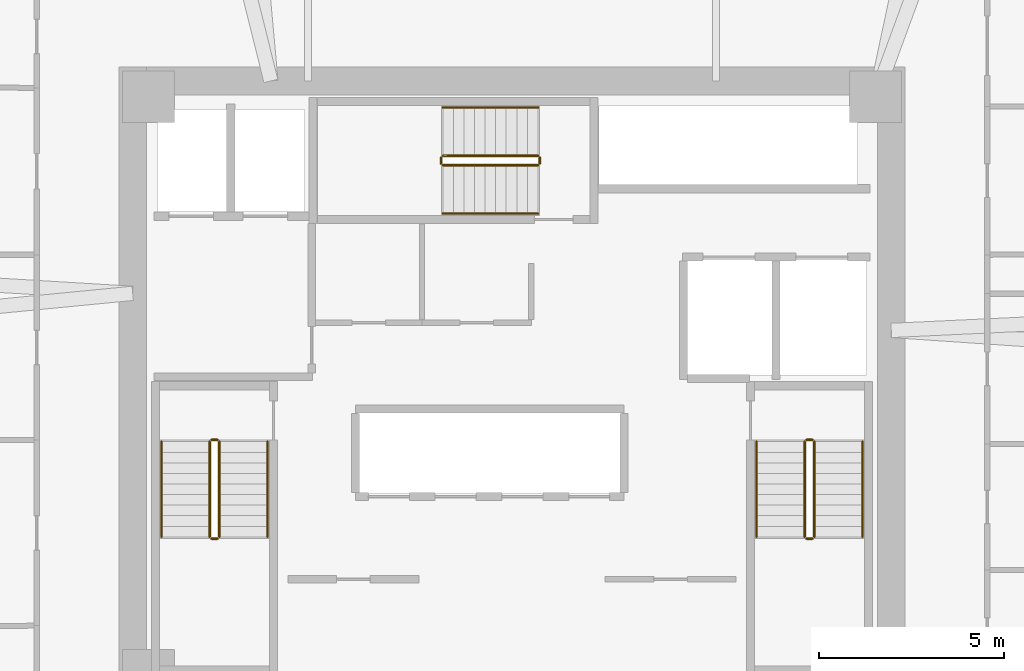
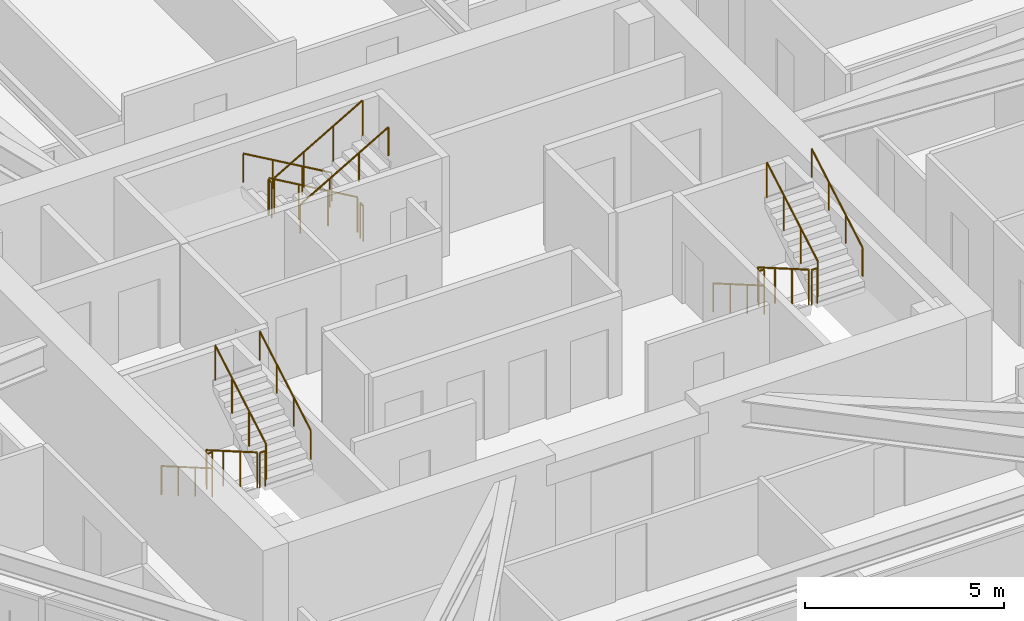
# One storey, part 16 of 16: 18 railings.
"""IFC4 building model written with IfcOpenShell, lengths in metres."""

from ifc_helpers import new_model, si_unit, direction, frame, origin, origin_2d, place, context, subcontext, project, spatial, circle, extrude, material, type_object, element, save


model = new_model("IFC4")

# Units and contexts
model_context = context("Model", 3, precision=1e-05, world=origin(), true_north=direction((0.0, 1.0)))
body_context = subcontext(model_context, "Body", "Model", "MODEL_VIEW")
ifc_project = project(units=[si_unit("LENGTHUNIT", "METRE"), si_unit("AREAUNIT", "SQUARE_METRE"), si_unit("VOLUMEUNIT", "CUBIC_METRE"), si_unit("PLANEANGLEUNIT", "RADIAN"), si_unit("MASSUNIT", "GRAM", prefix="KILO")], contexts=[model_context])

# Site, building, storey
site_placement = place(None, origin())
site = spatial("IfcSite", under=ifc_project, at=site_placement, CompositionType="ELEMENT")
building_placement = place(site_placement, origin())
building = spatial("IfcBuilding", under=site, at=building_placement, Name="Durnholm Broadcast Tower", CompositionType="ELEMENT")
storey_placement = place(building_placement, frame((0.0, 0.0, 130.5)))
storey = spatial("IfcBuildingStorey", under=building, at=storey_placement, Name="L35", CompositionType="ELEMENT", Elevation=130.5)

# Railings
ifc_material_1 = material(Name="Painted Tubular Steel Stair Guardrail", Category="steel")
railing_type_1 = type_object("IfcRailingType", Name="RAIL-ST-GRD", PredefinedType="GUARDRAIL", material=ifc_material_1)
railing_1_placement = place(storey_placement, frame((-8.14990234375, -1.5, 0.1650390625)))
element("IfcRailing", 1, at=railing_1_placement, inside=storey, type_object=railing_type_1, Name="L35 ST-1 stair guard 1", PredefinedType="GUARDRAIL", context=body_context, shape_type="SweptSolid", body=[
    extrude(circle(Radius=0.02392578125, at=origin_2d()), frame((0.0, 0.0, 1.076171875), z_axis=(0.0, -0.865441324677, 0.50101029285), x_axis=(1.0, 0.0, 0.0)), (0.0, 0.0, 1.0), 2.963623046875),
    extrude(circle(Radius=0.02099609375, at=origin_2d()), origin(), (0.0, 0.0, 1.0), 1.052001953125),
    extrude(circle(Radius=0.02099609375, at=origin_2d()), frame((0.0, -0.85498046875, 0.494873046875)), (0.0, 0.0, 1.0), 1.052001953125),
    extrude(circle(Radius=0.02099609375, at=origin_2d()), frame((0.0, -1.7099609375, 0.989990234375)), (0.0, 0.0, 1.0), 1.052001953125),
    extrude(circle(Radius=0.02099609375, at=origin_2d()), frame((0.0, -2.56494140625, 1.48486328125)), (0.0, 0.0, 1.0), 1.052001953125),
])
railing_2_placement = place(storey_placement, frame((-8.10009765625, -4.114990234375, 1.64990234375)))
element("IfcRailing", 2, at=railing_2_placement, inside=storey, type_object=railing_type_1, Name="L35 ST-1 stair guard 2", PredefinedType="GUARDRAIL", context=body_context, shape_type="SweptSolid", body=[
    extrude(circle(Radius=0.02392578125, at=origin_2d()), frame((0.0, 0.0, 1.076171875), z_axis=(1.0, 0.0, 0.0), x_axis=(0.0, 1.0, 0.0)), (0.0, 0.0, 1.0), 0.16015625),
    extrude(circle(Radius=0.02099609375, at=origin_2d()), origin(), (0.0, 0.0, 1.0), 1.052001953125),
    extrude(circle(Radius=0.02099609375, at=origin_2d()), frame((0.16015625, 0.0, 0.0)), (0.0, 0.0, 1.0), 1.052001953125),
])
railing_3_placement = place(storey_placement, frame((-7.889892578125, -4.06494140625, 1.81494140625)))
element("IfcRailing", 3, at=railing_3_placement, inside=storey, type_object=railing_type_1, Name="L35 ST-1 stair guard 3", PredefinedType="GUARDRAIL", context=body_context, shape_type="SweptSolid", body=[
    extrude(circle(Radius=0.02392578125, at=origin_2d()), frame((0.0, 0.0, 1.076171875), z_axis=(0.0, 0.865405606168, 0.501071987656), x_axis=(-1.0, 0.0, 0.0)), (0.0, 0.0, 1.0), 2.9638671875),
    extrude(circle(Radius=0.02099609375, at=origin_2d()), origin(), (0.0, 0.0, 1.0), 1.052001953125),
    extrude(circle(Radius=0.02099609375, at=origin_2d()), frame((0.0, 0.85498046875, 0.4951171875)), (0.0, 0.0, 1.0), 1.052001953125),
    extrude(circle(Radius=0.02099609375, at=origin_2d()), frame((0.0, 1.7099609375, 0.989990234375)), (0.0, 0.0, 1.0), 1.052001953125),
    extrude(circle(Radius=0.02099609375, at=origin_2d()), frame((0.0, 2.56494140625, 1.485107421875)), (0.0, 0.0, 1.0), 1.052001953125),
])
railing_4_placement = place(storey_placement, frame((-8.10009765625, -1.449951171875, 0.0)))
element("IfcRailing", 4, at=railing_4_placement, inside=storey, type_object=railing_type_1, Name="L35 ST-1 stair guard 4", PredefinedType="GUARDRAIL", context=body_context, shape_type="SweptSolid", body=[
    extrude(circle(Radius=0.02392578125, at=origin_2d()), frame((0.0, 0.0, 1.076171875), z_axis=(1.0, 0.0, 0.0), x_axis=(0.0, 1.0, 0.0)), (0.0, 0.0, 1.0), 0.16015625),
    extrude(circle(Radius=0.02099609375, at=origin_2d()), origin(), (0.0, 0.0, 1.0), 1.052001953125),
    extrude(circle(Radius=0.02099609375, at=origin_2d()), frame((0.16015625, 0.0, 0.0)), (0.0, 0.0, 1.0), 1.052001953125),
])
railing_5_placement = place(storey_placement, frame((7.889892578125, -1.5, 0.1650390625)))
element("IfcRailing", 5, at=railing_5_placement, inside=storey, type_object=railing_type_1, Name="L35 ST-2 stair guard 1", PredefinedType="GUARDRAIL", context=body_context, shape_type="SweptSolid", body=[
    extrude(circle(Radius=0.02392578125, at=origin_2d()), frame((0.0, 0.0, 1.076171875), z_axis=(0.0, -0.865441324677, 0.50101029285), x_axis=(1.0, 0.0, 0.0)), (0.0, 0.0, 1.0), 2.963623046875),
    extrude(circle(Radius=0.02099609375, at=origin_2d()), origin(), (0.0, 0.0, 1.0), 1.052001953125),
    extrude(circle(Radius=0.02099609375, at=origin_2d()), frame((0.0, -0.85498046875, 0.494873046875)), (0.0, 0.0, 1.0), 1.052001953125),
    extrude(circle(Radius=0.02099609375, at=origin_2d()), frame((0.0, -1.7099609375, 0.989990234375)), (0.0, 0.0, 1.0), 1.052001953125),
    extrude(circle(Radius=0.02099609375, at=origin_2d()), frame((0.0, -2.56494140625, 1.48486328125)), (0.0, 0.0, 1.0), 1.052001953125),
])
railing_6_placement = place(storey_placement, frame((7.93994140625, -4.114990234375, 1.64990234375)))
element("IfcRailing", 6, at=railing_6_placement, inside=storey, type_object=railing_type_1, Name="L35 ST-2 stair guard 2", PredefinedType="GUARDRAIL", context=body_context, shape_type="SweptSolid", body=[
    extrude(circle(Radius=0.02392578125, at=origin_2d()), frame((0.0, 0.0, 1.076171875), z_axis=(1.0, 0.0, 0.0), x_axis=(0.0, 1.0, 0.0)), (0.0, 0.0, 1.0), 0.16015625),
    extrude(circle(Radius=0.02099609375, at=origin_2d()), origin(), (0.0, 0.0, 1.0), 1.052001953125),
    extrude(circle(Radius=0.02099609375, at=origin_2d()), frame((0.16015625, 0.0, 0.0)), (0.0, 0.0, 1.0), 1.052001953125),
])
railing_7_placement = place(storey_placement, frame((8.14990234375, -4.06494140625, 1.81494140625)))
element("IfcRailing", 7, at=railing_7_placement, inside=storey, type_object=railing_type_1, Name="L35 ST-2 stair guard 3", PredefinedType="GUARDRAIL", context=body_context, shape_type="SweptSolid", body=[
    extrude(circle(Radius=0.02392578125, at=origin_2d()), frame((0.0, 0.0, 1.076171875), z_axis=(0.0, 0.865405606168, 0.501071987656), x_axis=(-1.0, 0.0, 0.0)), (0.0, 0.0, 1.0), 2.9638671875),
    extrude(circle(Radius=0.02099609375, at=origin_2d()), origin(), (0.0, 0.0, 1.0), 1.052001953125),
    extrude(circle(Radius=0.02099609375, at=origin_2d()), frame((0.0, 0.85498046875, 0.4951171875)), (0.0, 0.0, 1.0), 1.052001953125),
    extrude(circle(Radius=0.02099609375, at=origin_2d()), frame((0.0, 1.7099609375, 0.989990234375)), (0.0, 0.0, 1.0), 1.052001953125),
    extrude(circle(Radius=0.02099609375, at=origin_2d()), frame((0.0, 2.56494140625, 1.485107421875)), (0.0, 0.0, 1.0), 1.052001953125),
])
railing_8_placement = place(storey_placement, frame((7.93994140625, -1.449951171875, 0.0)))
element("IfcRailing", 8, at=railing_8_placement, inside=storey, type_object=railing_type_1, Name="L35 ST-2 stair guard 4", PredefinedType="GUARDRAIL", context=body_context, shape_type="SweptSolid", body=[
    extrude(circle(Radius=0.02392578125, at=origin_2d()), frame((0.0, 0.0, 1.076171875), z_axis=(1.0, 0.0, 0.0), x_axis=(0.0, 1.0, 0.0)), (0.0, 0.0, 1.0), 0.16015625),
    extrude(circle(Radius=0.02099609375, at=origin_2d()), origin(), (0.0, 0.0, 1.0), 1.052001953125),
    extrude(circle(Radius=0.02099609375, at=origin_2d()), frame((0.16015625, 0.0, 0.0)), (0.0, 0.0, 1.0), 1.052001953125),
])
railing_9_placement = place(storey_placement, frame((0.699951171875, 6.2099609375, 0.1650390625)))
element("IfcRailing", 9, at=railing_9_placement, inside=storey, type_object=railing_type_1, Name="L35 ST-3 stair guard 1", PredefinedType="GUARDRAIL", context=body_context, shape_type="SweptSolid", body=[
    extrude(circle(Radius=0.02392578125, at=origin_2d()), frame((0.0, 0.0, 1.076171875), z_axis=(-0.865441324677, 0.0, 0.50101029285), x_axis=(0.0, -1.0, 0.0)), (0.0, 0.0, 1.0), 2.963623046875),
    extrude(circle(Radius=0.02099609375, at=origin_2d()), origin(), (0.0, 0.0, 1.0), 1.052001953125),
    extrude(circle(Radius=0.02099609375, at=origin_2d()), frame((-0.85498046875, 0.0, 0.494873046875)), (0.0, 0.0, 1.0), 1.052001953125),
    extrude(circle(Radius=0.02099609375, at=origin_2d()), frame((-1.7099609375, 0.0, 0.989990234375)), (0.0, 0.0, 1.0), 1.052001953125),
    extrude(circle(Radius=0.02099609375, at=origin_2d()), frame((-2.56494140625, 0.0, 1.48486328125)), (0.0, 0.0, 1.0), 1.052001953125),
])
railing_10_placement = place(storey_placement, frame((-1.9150390625, 6.159912109375, 1.64990234375)))
element("IfcRailing", 10, at=railing_10_placement, inside=storey, type_object=railing_type_1, Name="L35 ST-3 stair guard 2", PredefinedType="GUARDRAIL", context=body_context, shape_type="SweptSolid", body=[
    extrude(circle(Radius=0.02392578125, at=origin_2d()), frame((0.0, 0.0, 1.076171875), z_axis=(0.0, -1.0, 0.0), x_axis=(1.0, 0.0, 0.0)), (0.0, 0.0, 1.0), 0.159912109375),
    extrude(circle(Radius=0.02099609375, at=origin_2d()), origin(), (0.0, 0.0, 1.0), 1.052001953125),
    extrude(circle(Radius=0.02099609375, at=origin_2d()), frame((0.0, -0.159912109375, 0.0)), (0.0, 0.0, 1.0), 1.052001953125),
])
railing_11_placement = place(storey_placement, frame((-1.864990234375, 5.949951171875, 1.81494140625)))
element("IfcRailing", 11, at=railing_11_placement, inside=storey, type_object=railing_type_1, Name="L35 ST-3 stair guard 3", PredefinedType="GUARDRAIL", context=body_context, shape_type="SweptSolid", body=[
    extrude(circle(Radius=0.02392578125, at=origin_2d()), frame((0.0, 0.0, 1.076171875), z_axis=(0.865405606168, 0.0, 0.501071987656), x_axis=(0.0, 1.0, 0.0)), (0.0, 0.0, 1.0), 2.9638671875),
    extrude(circle(Radius=0.02099609375, at=origin_2d()), origin(), (0.0, 0.0, 1.0), 1.052001953125),
    extrude(circle(Radius=0.02099609375, at=origin_2d()), frame((0.85498046875, 0.0, 0.4951171875)), (0.0, 0.0, 1.0), 1.052001953125),
    extrude(circle(Radius=0.02099609375, at=origin_2d()), frame((1.7099609375, 0.0, 0.989990234375)), (0.0, 0.0, 1.0), 1.052001953125),
    extrude(circle(Radius=0.02099609375, at=origin_2d()), frame((2.56494140625, 0.0, 1.485107421875)), (0.0, 0.0, 1.0), 1.052001953125),
])
railing_12_placement = place(storey_placement, frame((0.75, 6.159912109375, 0.0)))
element("IfcRailing", 12, at=railing_12_placement, inside=storey, type_object=railing_type_1, Name="L35 ST-3 stair guard 4", PredefinedType="GUARDRAIL", context=body_context, shape_type="SweptSolid", body=[
    extrude(circle(Radius=0.02392578125, at=origin_2d()), frame((0.0, 0.0, 1.076171875), z_axis=(0.0, -1.0, 0.0), x_axis=(1.0, 0.0, 0.0)), (0.0, 0.0, 1.0), 0.159912109375),
    extrude(circle(Radius=0.02099609375, at=origin_2d()), origin(), (0.0, 0.0, 1.0), 1.052001953125),
    extrude(circle(Radius=0.02099609375, at=origin_2d()), frame((0.0, -0.159912109375, 0.0)), (0.0, 0.0, 1.0), 1.052001953125),
])
ifc_material_2 = material(Name="Brushed Stainless Steel Handrail", Category="steel")
railing_type_2 = type_object("IfcRailingType", Name="RAIL-ST-HND", PredefinedType="HANDRAIL", material=ifc_material_2)
railing_13_placement = place(storey_placement, frame((-9.449951171875, -1.5, 0.330078125)))
element("IfcRailing", 13, at=railing_13_placement, inside=storey, type_object=railing_type_2, Name="L35 ST-1 stair handrail 1", PredefinedType="HANDRAIL", context=body_context, shape_type="SweptSolid", body=[
    extrude(circle(Radius=0.02392578125, at=origin_2d()), frame((0.0, 0.0, 0.8759765625), z_axis=(0.0, -0.865441324677, 0.50101029285), x_axis=(1.0, 0.0, 0.0)), (0.0, 0.0, 1.0), 2.963623046875),
    extrude(circle(Radius=0.02099609375, at=origin_2d()), origin(), (0.0, 0.0, 1.0), 0.851806640625),
    extrude(circle(Radius=0.02099609375, at=origin_2d()), frame((0.0, -0.85498046875, 0.494873046875)), (0.0, 0.0, 1.0), 0.851806640625),
    extrude(circle(Radius=0.02099609375, at=origin_2d()), frame((0.0, -1.7099609375, 0.989990234375)), (0.0, 0.0, 1.0), 0.851806640625),
    extrude(circle(Radius=0.02099609375, at=origin_2d()), frame((0.0, -2.56494140625, 1.48486328125)), (0.0, 0.0, 1.0), 0.851806640625),
])
railing_14_placement = place(storey_placement, frame((-6.590087890625, -4.06494140625, 1.97998046875)))
element("IfcRailing", 14, at=railing_14_placement, inside=storey, type_object=railing_type_2, Name="L35 ST-1 stair handrail 2", PredefinedType="HANDRAIL", context=body_context, shape_type="SweptSolid", body=[
    extrude(circle(Radius=0.02392578125, at=origin_2d()), frame((0.0, 0.0, 0.8759765625), z_axis=(0.0, 0.865405606168, 0.501071987656), x_axis=(-1.0, 0.0, 0.0)), (0.0, 0.0, 1.0), 2.9638671875),
    extrude(circle(Radius=0.02099609375, at=origin_2d()), origin(), (0.0, 0.0, 1.0), 0.851806640625),
    extrude(circle(Radius=0.02099609375, at=origin_2d()), frame((0.0, 0.85498046875, 0.4951171875)), (0.0, 0.0, 1.0), 0.851806640625),
    extrude(circle(Radius=0.02099609375, at=origin_2d()), frame((0.0, 1.7099609375, 0.989990234375)), (0.0, 0.0, 1.0), 0.851806640625),
    extrude(circle(Radius=0.02099609375, at=origin_2d()), frame((0.0, 2.56494140625, 1.485107421875)), (0.0, 0.0, 1.0), 0.851806640625),
])
railing_15_placement = place(storey_placement, frame((6.590087890625, -1.5, 0.330078125)))
element("IfcRailing", 15, at=railing_15_placement, inside=storey, type_object=railing_type_2, Name="L35 ST-2 stair handrail 1", PredefinedType="HANDRAIL", context=body_context, shape_type="SweptSolid", body=[
    extrude(circle(Radius=0.02392578125, at=origin_2d()), frame((0.0, 0.0, 0.8759765625), z_axis=(0.0, -0.865441324677, 0.50101029285), x_axis=(1.0, 0.0, 0.0)), (0.0, 0.0, 1.0), 2.963623046875),
    extrude(circle(Radius=0.02099609375, at=origin_2d()), origin(), (0.0, 0.0, 1.0), 0.851806640625),
    extrude(circle(Radius=0.02099609375, at=origin_2d()), frame((0.0, -0.85498046875, 0.494873046875)), (0.0, 0.0, 1.0), 0.851806640625),
    extrude(circle(Radius=0.02099609375, at=origin_2d()), frame((0.0, -1.7099609375, 0.989990234375)), (0.0, 0.0, 1.0), 0.851806640625),
    extrude(circle(Radius=0.02099609375, at=origin_2d()), frame((0.0, -2.56494140625, 1.48486328125)), (0.0, 0.0, 1.0), 0.851806640625),
])
railing_16_placement = place(storey_placement, frame((9.449951171875, -4.06494140625, 1.97998046875)))
element("IfcRailing", 16, at=railing_16_placement, inside=storey, type_object=railing_type_2, Name="L35 ST-2 stair handrail 2", PredefinedType="HANDRAIL", context=body_context, shape_type="SweptSolid", body=[
    extrude(circle(Radius=0.02392578125, at=origin_2d()), frame((0.0, 0.0, 0.8759765625), z_axis=(0.0, 0.865405606168, 0.501071987656), x_axis=(-1.0, 0.0, 0.0)), (0.0, 0.0, 1.0), 2.9638671875),
    extrude(circle(Radius=0.02099609375, at=origin_2d()), origin(), (0.0, 0.0, 1.0), 0.851806640625),
    extrude(circle(Radius=0.02099609375, at=origin_2d()), frame((0.0, 0.85498046875, 0.4951171875)), (0.0, 0.0, 1.0), 0.851806640625),
    extrude(circle(Radius=0.02099609375, at=origin_2d()), frame((0.0, 1.7099609375, 0.989990234375)), (0.0, 0.0, 1.0), 0.851806640625),
    extrude(circle(Radius=0.02099609375, at=origin_2d()), frame((0.0, 2.56494140625, 1.485107421875)), (0.0, 0.0, 1.0), 0.851806640625),
])
railing_17_placement = place(storey_placement, frame((0.699951171875, 7.510009765625, 0.330078125)))
element("IfcRailing", 17, at=railing_17_placement, inside=storey, type_object=railing_type_2, Name="L35 ST-3 stair handrail 1", PredefinedType="HANDRAIL", context=body_context, shape_type="SweptSolid", body=[
    extrude(circle(Radius=0.02392578125, at=origin_2d()), frame((0.0, 0.0, 0.8759765625), z_axis=(-0.865441324677, 0.0, 0.50101029285), x_axis=(0.0, -1.0, 0.0)), (0.0, 0.0, 1.0), 2.963623046875),
    extrude(circle(Radius=0.02099609375, at=origin_2d()), origin(), (0.0, 0.0, 1.0), 0.851806640625),
    extrude(circle(Radius=0.02099609375, at=origin_2d()), frame((-0.85498046875, 0.0, 0.494873046875)), (0.0, 0.0, 1.0), 0.851806640625),
    extrude(circle(Radius=0.02099609375, at=origin_2d()), frame((-1.7099609375, 0.0, 0.989990234375)), (0.0, 0.0, 1.0), 0.851806640625),
    extrude(circle(Radius=0.02099609375, at=origin_2d()), frame((-2.56494140625, 0.0, 1.48486328125)), (0.0, 0.0, 1.0), 0.851806640625),
])
railing_18_placement = place(storey_placement, frame((-1.864990234375, 4.64990234375, 1.97998046875)))
element("IfcRailing", 18, at=railing_18_placement, inside=storey, type_object=railing_type_2, Name="L35 ST-3 stair handrail 2", PredefinedType="HANDRAIL", context=body_context, shape_type="SweptSolid", body=[
    extrude(circle(Radius=0.02392578125, at=origin_2d()), frame((0.0, 0.0, 0.8759765625), z_axis=(0.865405606168, 0.0, 0.501071987656), x_axis=(0.0, 1.0, 0.0)), (0.0, 0.0, 1.0), 2.9638671875),
    extrude(circle(Radius=0.02099609375, at=origin_2d()), origin(), (0.0, 0.0, 1.0), 0.851806640625),
    extrude(circle(Radius=0.02099609375, at=origin_2d()), frame((0.85498046875, 0.0, 0.4951171875)), (0.0, 0.0, 1.0), 0.851806640625),
    extrude(circle(Radius=0.02099609375, at=origin_2d()), frame((1.7099609375, 0.0, 0.989990234375)), (0.0, 0.0, 1.0), 0.851806640625),
    extrude(circle(Radius=0.02099609375, at=origin_2d()), frame((2.56494140625, 0.0, 1.485107421875)), (0.0, 0.0, 1.0), 0.851806640625),
])

save(model, "model.ifc")
